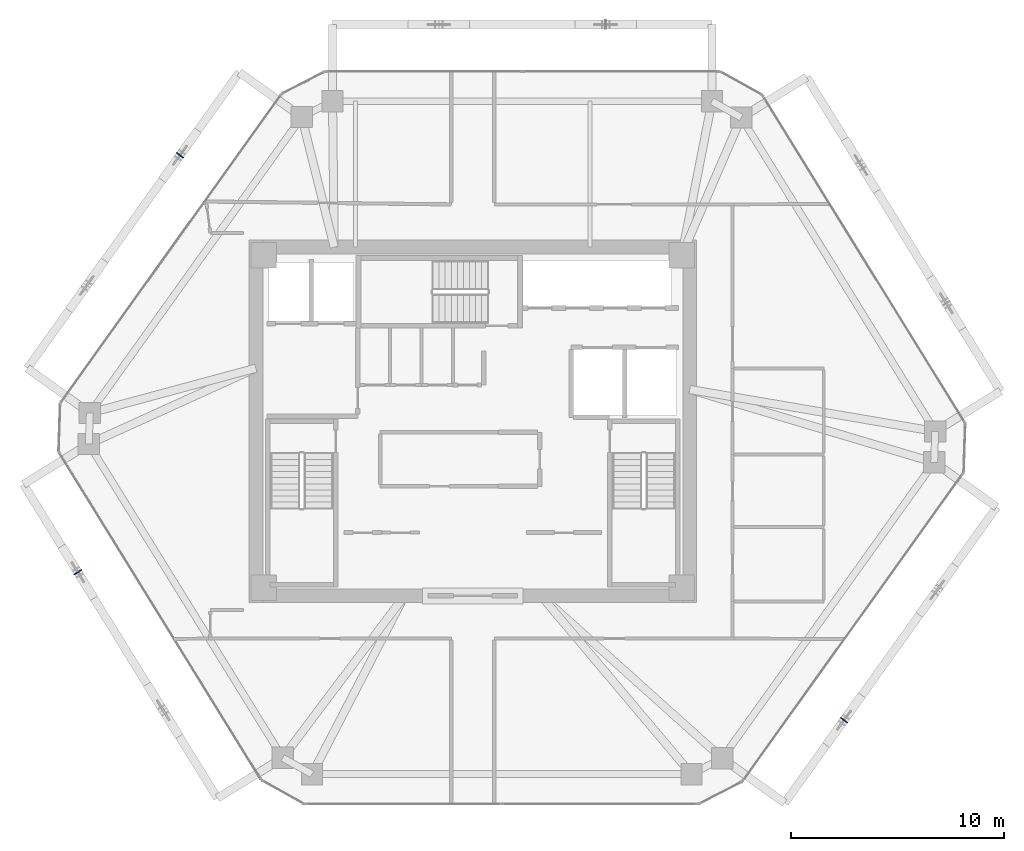
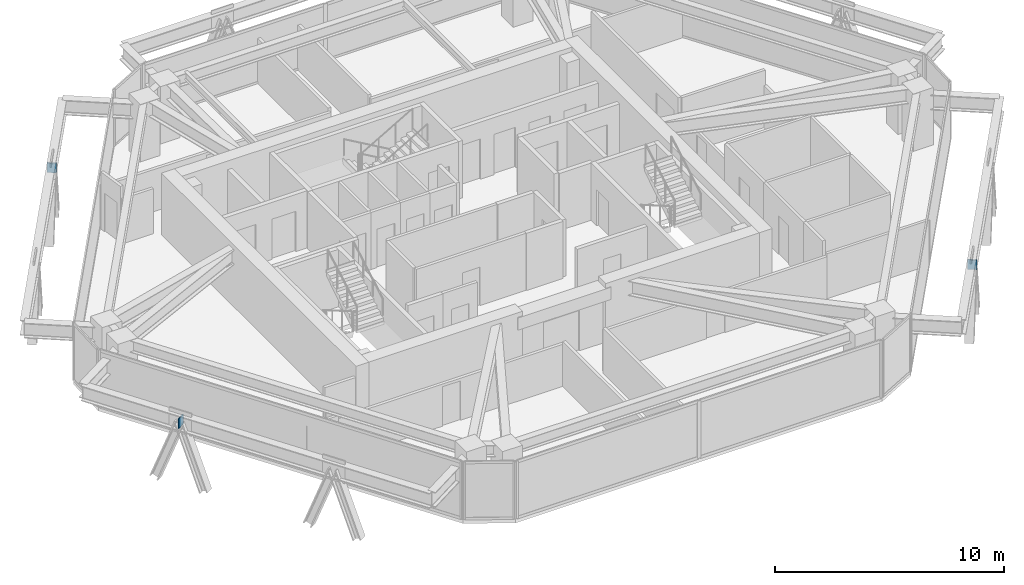
# One storey, part 8 of 13: 3 plates.
"""IFC4 building model written with IfcOpenShell, lengths in metres."""

from ifc_helpers import new_model, si_unit, direction, frame, origin, origin_2d, place, context, subcontext, project, spatial, rectangle, extrude, source, transform, mapped, material, layer, layer_set, type_object, type_shapes, element, save


model = new_model("IFC4")

# Units and contexts
model_context = context("Model", 3, precision=1e-05, world=origin(), true_north=direction((0.0, 1.0)))
body_context = subcontext(model_context, "Body", "Model", "MODEL_VIEW")
ifc_project = project(units=[si_unit("LENGTHUNIT", "METRE"), si_unit("AREAUNIT", "SQUARE_METRE"), si_unit("VOLUMEUNIT", "CUBIC_METRE"), si_unit("PLANEANGLEUNIT", "RADIAN"), si_unit("MASSUNIT", "GRAM", prefix="KILO")], contexts=[model_context])

# Site, building, storey
site_placement = place(None, origin())
site = spatial("IfcSite", under=ifc_project, at=site_placement, CompositionType="ELEMENT")
building_placement = place(site_placement, origin())
building = spatial("IfcBuilding", under=site, at=building_placement, Name="Durnholm Broadcast Tower", CompositionType="ELEMENT")
storey_placement = place(building_placement, frame((0.0, 0.0, 167.199951171875)))
storey = spatial("IfcBuildingStorey", under=building, at=storey_placement, Name="L45", CompositionType="ELEMENT", Elevation=167.199951171875)

# Plates
ifc_material = material(Name="Steel ASTM A572 Grade 50", Category="steel")
ifc_layer = layer(ifc_material, 0.044921875)
ifc_layer_set = layer_set([ifc_layer], Name="Steel ASTM A572 Grade 50")
plate_type = type_object("IfcPlateType", Name="PLT-KN-STIF", PredefinedType="SHEET", material=ifc_layer_set)
shared_shape = source(origin(), body_context, "Body", "SweptSolid", [
    extrude(rectangle(XDim=0.044921875, YDim=0.419921875, at=origin_2d()), origin(), (0.0, 0.0, 1.0), 0.52001953125),
])
type_shapes(plate_type, [shared_shape])
for number, where, z_axis, x_axis, name in (
    (1, (17.40966796875, -14.009521484375, 2.048583984375), (0.0, 0.0, 1.0), (0.582122970157, 0.813100761047, 0.0), "L45 welded diagrid node stiffener plate F2"),
    (2, (-13.731689453125, 12.485595703125, 2.048583984375), (0.0, 0.0, 1.0), (-0.582122970157, -0.813100761047, 0.0), "L45 welded diagrid node stiffener plate F5"),
    (3, (-18.5244140625, -7.07080078125, 2.048583984375), (0.0, 0.0, 1.0), (0.525768608156, -0.850627633385, 0.0), "L45 welded diagrid node stiffener plate F6"),
):
    element("IfcPlate", number, at=place(storey_placement, frame(where, z_axis=z_axis, x_axis=x_axis)), inside=storey, type_object=plate_type, Name=name, PredefinedType="SHEET", context=body_context, shape_type="MappedRepresentation", body=[
        mapped(shared_shape, transform((0.0, 0.0, 0.0), x_axis=(1.0, 0.0, 0.0), y_axis=(0.0, 1.0, 0.0), z_axis=(0.0, 0.0, 1.0), scale=1.0)),
    ])

save(model, "model.ifc")
